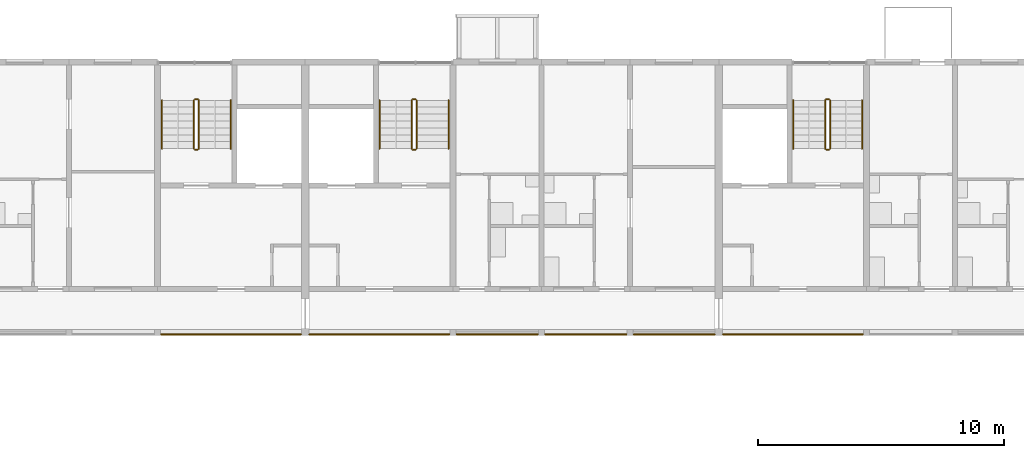
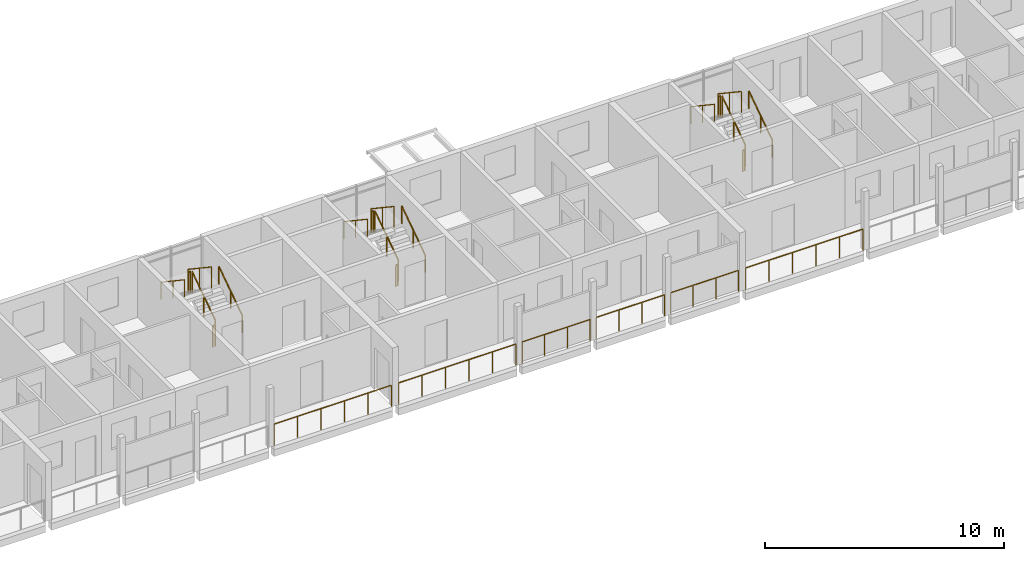
# One storey, part 90 of 98: 24 railings.
"""IFC4 building model written with IfcOpenShell, lengths in metres."""

from ifc_helpers import new_model, si_unit, direction, frame, origin, origin_2d, place, context, subcontext, project, spatial, circle, extrude, material, type_object, element, save


model = new_model("IFC4")

# Units and contexts
model_context = context("Model", 3, precision=1e-05, world=origin(), true_north=direction((0.0, 1.0)))
body_context = subcontext(model_context, "Body", "Model", "MODEL_VIEW")
ifc_project = project(units=[si_unit("LENGTHUNIT", "METRE"), si_unit("AREAUNIT", "SQUARE_METRE"), si_unit("VOLUMEUNIT", "CUBIC_METRE"), si_unit("PLANEANGLEUNIT", "RADIAN"), si_unit("MASSUNIT", "GRAM", prefix="KILO")], contexts=[model_context])

# Site, building, storey
site_placement = place(None, origin())
site = spatial("IfcSite", under=ifc_project, at=site_placement, CompositionType="ELEMENT")
building_placement = place(site_placement, origin())
building = spatial("IfcBuilding", under=site, at=building_placement, Name="Ridgestep Commons", CompositionType="ELEMENT")
storey_placement = place(building_placement, frame((0.0, 0.0, 12.0)))
storey = spatial("IfcBuildingStorey", under=building, at=storey_placement, Name="L04", CompositionType="ELEMENT", Elevation=12.0)

# Railings
ifc_material_1 = material(Name="Structural steel S355JR", Category="steel")
railing_type_1 = type_object("IfcRailingType", Name="Guard 1100", PredefinedType="GUARDRAIL", material=ifc_material_1)
railing_1_placement = place(storey_placement, frame((174.5458984375, 66.050048828125, 0.0)))
element("IfcRailing", 1, at=railing_1_placement, inside=storey, type_object=railing_type_1, Name="Gallery guard C 04.8", PredefinedType="GUARDRAIL", context=body_context, shape_type="SweptSolid", body=[
    extrude(circle(Radius=0.02392578125, at=origin_2d()), frame((0.0, 0.0, 1.076171875), z_axis=(1.0, 0.0, 0.0), x_axis=(0.0, 1.0, 0.0)), (0.0, 0.0, 1.0), 5.68310546875),
    extrude(circle(Radius=0.02099609375, at=origin_2d()), origin(), (0.0, 0.0, 1.0), 1.052001953125),
    extrude(circle(Radius=0.02099609375, at=origin_2d()), frame((1.13671875, 0.0, 0.0)), (0.0, 0.0, 1.0), 1.052001953125),
    extrude(circle(Radius=0.02099609375, at=origin_2d()), frame((2.273193359375, 0.0, 0.0)), (0.0, 0.0, 1.0), 1.052001953125),
    extrude(circle(Radius=0.02099609375, at=origin_2d()), frame((3.409912109375, 0.0, 0.0)), (0.0, 0.0, 1.0), 1.052001953125),
    extrude(circle(Radius=0.02099609375, at=origin_2d()), frame((4.54638671875, 0.0, 0.0)), (0.0, 0.0, 1.0), 1.052001953125),
    extrude(circle(Radius=0.02099609375, at=origin_2d()), frame((5.68310546875, 0.0, 0.0)), (0.0, 0.0, 1.0), 1.052001953125),
])
railing_2_placement = place(storey_placement, frame((180.571044921875, 66.050048828125, 0.0)))
element("IfcRailing", 2, at=railing_2_placement, inside=storey, type_object=railing_type_1, Name="Gallery guard C 04.9", PredefinedType="GUARDRAIL", context=body_context, shape_type="SweptSolid", body=[
    extrude(circle(Radius=0.02392578125, at=origin_2d()), frame((0.0, 0.0, 1.076171875), z_axis=(1.0, 0.0, 0.0), x_axis=(0.0, 1.0, 0.0)), (0.0, 0.0, 1.0), 5.682861328125),
    extrude(circle(Radius=0.02099609375, at=origin_2d()), origin(), (0.0, 0.0, 1.0), 1.052001953125),
    extrude(circle(Radius=0.02099609375, at=origin_2d()), frame((1.136474609375, 0.0, 0.0)), (0.0, 0.0, 1.0), 1.052001953125),
    extrude(circle(Radius=0.02099609375, at=origin_2d()), frame((2.273193359375, 0.0, 0.0)), (0.0, 0.0, 1.0), 1.052001953125),
    extrude(circle(Radius=0.02099609375, at=origin_2d()), frame((3.40966796875, 0.0, 0.0)), (0.0, 0.0, 1.0), 1.052001953125),
    extrude(circle(Radius=0.02099609375, at=origin_2d()), frame((4.54638671875, 0.0, 0.0)), (0.0, 0.0, 1.0), 1.052001953125),
    extrude(circle(Radius=0.02099609375, at=origin_2d()), frame((5.682861328125, 0.0, 0.0)), (0.0, 0.0, 1.0), 1.052001953125),
])
for number, where, name in (
    (3, (186.5458984375, 66.050048828125, 0.0), "Gallery guard C 04.10"),
    (4, (190.14599609375, 66.050048828125, 0.0), "Gallery guard C 04.11"),
):
    element("IfcRailing", number, at=place(storey_placement, frame(where)), inside=storey, type_object=railing_type_1, Name=name, PredefinedType="GUARDRAIL", context=body_context, shape_type="SweptSolid", body=[
        extrude(circle(Radius=0.02392578125, at=origin_2d()), frame((0.0, 0.0, 1.076171875), z_axis=(1.0, 0.0, 0.0), x_axis=(0.0, 1.0, 0.0)), (0.0, 0.0, 1.0), 3.30810546875),
        extrude(circle(Radius=0.02099609375, at=origin_2d()), origin(), (0.0, 0.0, 1.0), 1.052001953125),
        extrude(circle(Radius=0.02099609375, at=origin_2d()), frame((1.102783203125, 0.0, 0.0)), (0.0, 0.0, 1.0), 1.052001953125),
        extrude(circle(Radius=0.02099609375, at=origin_2d()), frame((2.205322265625, 0.0, 0.0)), (0.0, 0.0, 1.0), 1.052001953125),
        extrude(circle(Radius=0.02099609375, at=origin_2d()), frame((3.30810546875, 0.0, 0.0)), (0.0, 0.0, 1.0), 1.052001953125),
    ])
railing_3_placement = place(storey_placement, frame((193.74609375, 66.050048828125, 0.0)))
element("IfcRailing", 5, at=railing_3_placement, inside=storey, type_object=railing_type_1, Name="Gallery guard C 04.12", PredefinedType="GUARDRAIL", context=body_context, shape_type="SweptSolid", body=[
    extrude(circle(Radius=0.02392578125, at=origin_2d()), frame((0.0, 0.0, 1.076171875), z_axis=(1.0, 0.0, 0.0), x_axis=(0.0, 1.0, 0.0)), (0.0, 0.0, 1.0), 3.282958984375),
    extrude(circle(Radius=0.02099609375, at=origin_2d()), origin(), (0.0, 0.0, 1.0), 1.052001953125),
    extrude(circle(Radius=0.02099609375, at=origin_2d()), frame((1.09423828125, 0.0, 0.0)), (0.0, 0.0, 1.0), 1.052001953125),
    extrude(circle(Radius=0.02099609375, at=origin_2d()), frame((2.188720703125, 0.0, 0.0)), (0.0, 0.0, 1.0), 1.052001953125),
    extrude(circle(Radius=0.02099609375, at=origin_2d()), frame((3.282958984375, 0.0, 0.0)), (0.0, 0.0, 1.0), 1.052001953125),
])
railing_4_placement = place(storey_placement, frame((197.37109375, 66.050048828125, 0.0)))
element("IfcRailing", 6, at=railing_4_placement, inside=storey, type_object=railing_type_1, Name="Gallery guard C 04.13", PredefinedType="GUARDRAIL", context=body_context, shape_type="SweptSolid", body=[
    extrude(circle(Radius=0.02392578125, at=origin_2d()), frame((0.0, 0.0, 1.076171875), z_axis=(1.0, 0.0, 0.0), x_axis=(0.0, 1.0, 0.0)), (0.0, 0.0, 1.0), 5.682861328125),
    extrude(circle(Radius=0.02099609375, at=origin_2d()), origin(), (0.0, 0.0, 1.0), 1.052001953125),
    extrude(circle(Radius=0.02099609375, at=origin_2d()), frame((1.136474609375, 0.0, 0.0)), (0.0, 0.0, 1.0), 1.052001953125),
    extrude(circle(Radius=0.02099609375, at=origin_2d()), frame((2.273193359375, 0.0, 0.0)), (0.0, 0.0, 1.0), 1.052001953125),
    extrude(circle(Radius=0.02099609375, at=origin_2d()), frame((3.40966796875, 0.0, 0.0)), (0.0, 0.0, 1.0), 1.052001953125),
    extrude(circle(Radius=0.02099609375, at=origin_2d()), frame((4.54638671875, 0.0, 0.0)), (0.0, 0.0, 1.0), 1.052001953125),
    extrude(circle(Radius=0.02099609375, at=origin_2d()), frame((5.682861328125, 0.0, 0.0)), (0.0, 0.0, 1.0), 1.052001953125),
])
ifc_material_2 = material(Name="Structural steel S355JR", Category="steel")
railing_type_2 = type_object("IfcRailingType", Name="Stair guard 1100", PredefinedType="GUARDRAIL", material=ifc_material_2)
railing_5_placement = place(storey_placement, frame((176.074951171875, 73.60009765625, 0.1875)))
element("IfcRailing", 7, at=railing_5_placement, inside=storey, type_object=railing_type_2, Name="L04 C2C stair guard 1", PredefinedType="GUARDRAIL", context=body_context, shape_type="SweptSolid", body=[
    extrude(circle(Radius=0.02392578125, at=origin_2d()), frame((0.0, 0.0, 1.076171875), z_axis=(0.0, 0.830902050051, 0.556418712142), x_axis=(-1.0, 0.0, 0.0)), (0.0, 0.0, 1.0), 2.35888671875),
    extrude(circle(Radius=0.02099609375, at=origin_2d()), origin(), (0.0, 0.0, 1.0), 1.052001953125),
    extrude(circle(Radius=0.02099609375, at=origin_2d()), frame((0.0, 0.97998046875, 0.65625)), (0.0, 0.0, 1.0), 1.052001953125),
    extrude(circle(Radius=0.02099609375, at=origin_2d()), frame((0.0, 1.9599609375, 1.3125)), (0.0, 0.0, 1.0), 1.052001953125),
])
railing_6_placement = place(storey_placement, frame((176.02490234375, 75.610107421875, 1.5)))
element("IfcRailing", 8, at=railing_6_placement, inside=storey, type_object=railing_type_2, Name="L04 C2C stair guard 2", PredefinedType="GUARDRAIL", context=body_context, shape_type="SweptSolid", body=[
    extrude(circle(Radius=0.02392578125, at=origin_2d()), frame((0.0, 0.0, 1.076171875), z_axis=(-1.0, 0.0, 0.0), x_axis=(0.0, -1.0, 0.0)), (0.0, 0.0, 1.0), 0.099853515625),
    extrude(circle(Radius=0.02099609375, at=origin_2d()), origin(), (0.0, 0.0, 1.0), 1.052001953125),
    extrude(circle(Radius=0.02099609375, at=origin_2d()), frame((-0.099853515625, 0.0, 0.0)), (0.0, 0.0, 1.0), 1.052001953125),
])
railing_7_placement = place(storey_placement, frame((175.875, 75.56005859375, 1.6875)))
element("IfcRailing", 9, at=railing_7_placement, inside=storey, type_object=railing_type_2, Name="L04 C2C stair guard 3", PredefinedType="GUARDRAIL", context=body_context, shape_type="SweptSolid", body=[
    extrude(circle(Radius=0.02392578125, at=origin_2d()), frame((0.0, 0.0, 1.076171875), z_axis=(0.0, -0.830902050051, 0.556418712142), x_axis=(1.0, 0.0, 0.0)), (0.0, 0.0, 1.0), 2.35888671875),
    extrude(circle(Radius=0.02099609375, at=origin_2d()), origin(), (0.0, 0.0, 1.0), 1.052001953125),
    extrude(circle(Radius=0.02099609375, at=origin_2d()), frame((0.0, -0.97998046875, 0.65625)), (0.0, 0.0, 1.0), 1.052001953125),
    extrude(circle(Radius=0.02099609375, at=origin_2d()), frame((0.0, -1.9599609375, 1.3125)), (0.0, 0.0, 1.0), 1.052001953125),
])
railing_8_placement = place(storey_placement, frame((176.02490234375, 73.550048828125, 0.0)))
element("IfcRailing", 10, at=railing_8_placement, inside=storey, type_object=railing_type_2, Name="L04 C2C stair guard 4", PredefinedType="GUARDRAIL", context=body_context, shape_type="SweptSolid", body=[
    extrude(circle(Radius=0.02392578125, at=origin_2d()), frame((0.0, 0.0, 1.076171875), z_axis=(-1.0, 0.0, 0.0), x_axis=(0.0, -1.0, 0.0)), (0.0, 0.0, 1.0), 0.099853515625),
    extrude(circle(Radius=0.02099609375, at=origin_2d()), origin(), (0.0, 0.0, 1.0), 1.052001953125),
    extrude(circle(Radius=0.02099609375, at=origin_2d()), frame((-0.099853515625, 0.0, 0.0)), (0.0, 0.0, 1.0), 1.052001953125),
])
railing_9_placement = place(storey_placement, frame((184.925048828125, 73.60009765625, 0.1875)))
element("IfcRailing", 11, at=railing_9_placement, inside=storey, type_object=railing_type_2, Name="L04 C3C stair guard 1", PredefinedType="GUARDRAIL", context=body_context, shape_type="SweptSolid", body=[
    extrude(circle(Radius=0.02392578125, at=origin_2d()), frame((0.0, 0.0, 1.076171875), z_axis=(0.0, 0.830902050051, 0.556418712142), x_axis=(-1.0, 0.0, 0.0)), (0.0, 0.0, 1.0), 2.35888671875),
    extrude(circle(Radius=0.02099609375, at=origin_2d()), origin(), (0.0, 0.0, 1.0), 1.052001953125),
    extrude(circle(Radius=0.02099609375, at=origin_2d()), frame((0.0, 0.97998046875, 0.65625)), (0.0, 0.0, 1.0), 1.052001953125),
    extrude(circle(Radius=0.02099609375, at=origin_2d()), frame((0.0, 1.9599609375, 1.3125)), (0.0, 0.0, 1.0), 1.052001953125),
])
railing_10_placement = place(storey_placement, frame((184.875, 75.610107421875, 1.5)))
element("IfcRailing", 12, at=railing_10_placement, inside=storey, type_object=railing_type_2, Name="L04 C3C stair guard 2", PredefinedType="GUARDRAIL", context=body_context, shape_type="SweptSolid", body=[
    extrude(circle(Radius=0.02392578125, at=origin_2d()), frame((0.0, 0.0, 1.076171875), z_axis=(-1.0, 0.0, 0.0), x_axis=(0.0, -1.0, 0.0)), (0.0, 0.0, 1.0), 0.10009765625),
    extrude(circle(Radius=0.02099609375, at=origin_2d()), origin(), (0.0, 0.0, 1.0), 1.052001953125),
    extrude(circle(Radius=0.02099609375, at=origin_2d()), frame((-0.10009765625, 0.0, 0.0)), (0.0, 0.0, 1.0), 1.052001953125),
])
railing_11_placement = place(storey_placement, frame((184.72509765625, 75.56005859375, 1.6875)))
element("IfcRailing", 13, at=railing_11_placement, inside=storey, type_object=railing_type_2, Name="L04 C3C stair guard 3", PredefinedType="GUARDRAIL", context=body_context, shape_type="SweptSolid", body=[
    extrude(circle(Radius=0.02392578125, at=origin_2d()), frame((0.0, 0.0, 1.076171875), z_axis=(0.0, -0.830902050051, 0.556418712142), x_axis=(1.0, 0.0, 0.0)), (0.0, 0.0, 1.0), 2.35888671875),
    extrude(circle(Radius=0.02099609375, at=origin_2d()), origin(), (0.0, 0.0, 1.0), 1.052001953125),
    extrude(circle(Radius=0.02099609375, at=origin_2d()), frame((0.0, -0.97998046875, 0.65625)), (0.0, 0.0, 1.0), 1.052001953125),
    extrude(circle(Radius=0.02099609375, at=origin_2d()), frame((0.0, -1.9599609375, 1.3125)), (0.0, 0.0, 1.0), 1.052001953125),
])
railing_12_placement = place(storey_placement, frame((184.875, 73.550048828125, 0.0)))
element("IfcRailing", 14, at=railing_12_placement, inside=storey, type_object=railing_type_2, Name="L04 C3C stair guard 4", PredefinedType="GUARDRAIL", context=body_context, shape_type="SweptSolid", body=[
    extrude(circle(Radius=0.02392578125, at=origin_2d()), frame((0.0, 0.0, 1.076171875), z_axis=(-1.0, 0.0, 0.0), x_axis=(0.0, -1.0, 0.0)), (0.0, 0.0, 1.0), 0.10009765625),
    extrude(circle(Radius=0.02099609375, at=origin_2d()), origin(), (0.0, 0.0, 1.0), 1.052001953125),
    extrude(circle(Radius=0.02099609375, at=origin_2d()), frame((-0.10009765625, 0.0, 0.0)), (0.0, 0.0, 1.0), 1.052001953125),
])
railing_13_placement = place(storey_placement, frame((201.72509765625, 73.60009765625, 0.1875)))
element("IfcRailing", 15, at=railing_13_placement, inside=storey, type_object=railing_type_2, Name="L04 C4C stair guard 1", PredefinedType="GUARDRAIL", context=body_context, shape_type="SweptSolid", body=[
    extrude(circle(Radius=0.02392578125, at=origin_2d()), frame((0.0, 0.0, 1.076171875), z_axis=(0.0, 0.830902050051, 0.556418712142), x_axis=(-1.0, 0.0, 0.0)), (0.0, 0.0, 1.0), 2.35888671875),
    extrude(circle(Radius=0.02099609375, at=origin_2d()), origin(), (0.0, 0.0, 1.0), 1.052001953125),
    extrude(circle(Radius=0.02099609375, at=origin_2d()), frame((0.0, 0.97998046875, 0.65625)), (0.0, 0.0, 1.0), 1.052001953125),
    extrude(circle(Radius=0.02099609375, at=origin_2d()), frame((0.0, 1.9599609375, 1.3125)), (0.0, 0.0, 1.0), 1.052001953125),
])
railing_14_placement = place(storey_placement, frame((201.675048828125, 75.610107421875, 1.5)))
element("IfcRailing", 16, at=railing_14_placement, inside=storey, type_object=railing_type_2, Name="L04 C4C stair guard 2", PredefinedType="GUARDRAIL", context=body_context, shape_type="SweptSolid", body=[
    extrude(circle(Radius=0.02392578125, at=origin_2d()), frame((0.0, 0.0, 1.076171875), z_axis=(-1.0, 0.0, 0.0), x_axis=(0.0, -1.0, 0.0)), (0.0, 0.0, 1.0), 0.10009765625),
    extrude(circle(Radius=0.02099609375, at=origin_2d()), origin(), (0.0, 0.0, 1.0), 1.052001953125),
    extrude(circle(Radius=0.02099609375, at=origin_2d()), frame((-0.10009765625, 0.0, 0.0)), (0.0, 0.0, 1.0), 1.052001953125),
])
railing_15_placement = place(storey_placement, frame((201.52490234375, 75.56005859375, 1.6875)))
element("IfcRailing", 17, at=railing_15_placement, inside=storey, type_object=railing_type_2, Name="L04 C4C stair guard 3", PredefinedType="GUARDRAIL", context=body_context, shape_type="SweptSolid", body=[
    extrude(circle(Radius=0.02392578125, at=origin_2d()), frame((0.0, 0.0, 1.076171875), z_axis=(0.0, -0.830902050051, 0.556418712142), x_axis=(1.0, 0.0, 0.0)), (0.0, 0.0, 1.0), 2.35888671875),
    extrude(circle(Radius=0.02099609375, at=origin_2d()), origin(), (0.0, 0.0, 1.0), 1.052001953125),
    extrude(circle(Radius=0.02099609375, at=origin_2d()), frame((0.0, -0.97998046875, 0.65625)), (0.0, 0.0, 1.0), 1.052001953125),
    extrude(circle(Radius=0.02099609375, at=origin_2d()), frame((0.0, -1.9599609375, 1.3125)), (0.0, 0.0, 1.0), 1.052001953125),
])
railing_16_placement = place(storey_placement, frame((201.675048828125, 73.550048828125, 0.0)))
element("IfcRailing", 18, at=railing_16_placement, inside=storey, type_object=railing_type_2, Name="L04 C4C stair guard 4", PredefinedType="GUARDRAIL", context=body_context, shape_type="SweptSolid", body=[
    extrude(circle(Radius=0.02392578125, at=origin_2d()), frame((0.0, 0.0, 1.076171875), z_axis=(-1.0, 0.0, 0.0), x_axis=(0.0, -1.0, 0.0)), (0.0, 0.0, 1.0), 0.10009765625),
    extrude(circle(Radius=0.02099609375, at=origin_2d()), origin(), (0.0, 0.0, 1.0), 1.052001953125),
    extrude(circle(Radius=0.02099609375, at=origin_2d()), frame((-0.10009765625, 0.0, 0.0)), (0.0, 0.0, 1.0), 1.052001953125),
])
ifc_material_3 = material(Name="Structural steel S355JR", Category="steel")
railing_type_3 = type_object("IfcRailingType", Name="Stair handrail 900", PredefinedType="HANDRAIL", material=ifc_material_3)
railing_17_placement = place(storey_placement, frame((177.375, 73.60009765625, 0.1875)))
element("IfcRailing", 19, at=railing_17_placement, inside=storey, type_object=railing_type_3, Name="L04 C2C stair handrail 1", PredefinedType="HANDRAIL", context=body_context, shape_type="SweptSolid", body=[
    extrude(circle(Radius=0.02392578125, at=origin_2d()), frame((0.0, 0.0, 0.8759765625), z_axis=(0.0, 0.830902050051, 0.556418712142), x_axis=(-1.0, 0.0, 0.0)), (0.0, 0.0, 1.0), 2.35888671875),
    extrude(circle(Radius=0.02099609375, at=origin_2d()), origin(), (0.0, 0.0, 1.0), 0.851806640625),
    extrude(circle(Radius=0.02099609375, at=origin_2d()), frame((0.0, 0.97998046875, 0.65625)), (0.0, 0.0, 1.0), 0.851806640625),
    extrude(circle(Radius=0.02099609375, at=origin_2d()), frame((0.0, 1.9599609375, 1.3125)), (0.0, 0.0, 1.0), 0.851806640625),
])
railing_18_placement = place(storey_placement, frame((174.574951171875, 75.56005859375, 1.6875)))
element("IfcRailing", 20, at=railing_18_placement, inside=storey, type_object=railing_type_3, Name="L04 C2C stair handrail 2", PredefinedType="HANDRAIL", context=body_context, shape_type="SweptSolid", body=[
    extrude(circle(Radius=0.02392578125, at=origin_2d()), frame((0.0, 0.0, 0.8759765625), z_axis=(0.0, -0.830902050051, 0.556418712142), x_axis=(1.0, 0.0, 0.0)), (0.0, 0.0, 1.0), 2.35888671875),
    extrude(circle(Radius=0.02099609375, at=origin_2d()), origin(), (0.0, 0.0, 1.0), 0.851806640625),
    extrude(circle(Radius=0.02099609375, at=origin_2d()), frame((0.0, -0.97998046875, 0.65625)), (0.0, 0.0, 1.0), 0.851806640625),
    extrude(circle(Radius=0.02099609375, at=origin_2d()), frame((0.0, -1.9599609375, 1.3125)), (0.0, 0.0, 1.0), 0.851806640625),
])
railing_19_placement = place(storey_placement, frame((186.22509765625, 73.60009765625, 0.1875)))
element("IfcRailing", 21, at=railing_19_placement, inside=storey, type_object=railing_type_3, Name="L04 C3C stair handrail 1", PredefinedType="HANDRAIL", context=body_context, shape_type="SweptSolid", body=[
    extrude(circle(Radius=0.02392578125, at=origin_2d()), frame((0.0, 0.0, 0.8759765625), z_axis=(0.0, 0.830902050051, 0.556418712142), x_axis=(-1.0, 0.0, 0.0)), (0.0, 0.0, 1.0), 2.35888671875),
    extrude(circle(Radius=0.02099609375, at=origin_2d()), origin(), (0.0, 0.0, 1.0), 0.851806640625),
    extrude(circle(Radius=0.02099609375, at=origin_2d()), frame((0.0, 0.97998046875, 0.65625)), (0.0, 0.0, 1.0), 0.851806640625),
    extrude(circle(Radius=0.02099609375, at=origin_2d()), frame((0.0, 1.9599609375, 1.3125)), (0.0, 0.0, 1.0), 0.851806640625),
])
railing_20_placement = place(storey_placement, frame((183.425048828125, 75.56005859375, 1.6875)))
element("IfcRailing", 22, at=railing_20_placement, inside=storey, type_object=railing_type_3, Name="L04 C3C stair handrail 2", PredefinedType="HANDRAIL", context=body_context, shape_type="SweptSolid", body=[
    extrude(circle(Radius=0.02392578125, at=origin_2d()), frame((0.0, 0.0, 0.8759765625), z_axis=(0.0, -0.830902050051, 0.556418712142), x_axis=(1.0, 0.0, 0.0)), (0.0, 0.0, 1.0), 2.35888671875),
    extrude(circle(Radius=0.02099609375, at=origin_2d()), origin(), (0.0, 0.0, 1.0), 0.851806640625),
    extrude(circle(Radius=0.02099609375, at=origin_2d()), frame((0.0, -0.97998046875, 0.65625)), (0.0, 0.0, 1.0), 0.851806640625),
    extrude(circle(Radius=0.02099609375, at=origin_2d()), frame((0.0, -1.9599609375, 1.3125)), (0.0, 0.0, 1.0), 0.851806640625),
])
railing_21_placement = place(storey_placement, frame((203.02490234375, 73.60009765625, 0.1875)))
element("IfcRailing", 23, at=railing_21_placement, inside=storey, type_object=railing_type_3, Name="L04 C4C stair handrail 1", PredefinedType="HANDRAIL", context=body_context, shape_type="SweptSolid", body=[
    extrude(circle(Radius=0.02392578125, at=origin_2d()), frame((0.0, 0.0, 0.8759765625), z_axis=(0.0, 0.830902050051, 0.556418712142), x_axis=(-1.0, 0.0, 0.0)), (0.0, 0.0, 1.0), 2.35888671875),
    extrude(circle(Radius=0.02099609375, at=origin_2d()), origin(), (0.0, 0.0, 1.0), 0.851806640625),
    extrude(circle(Radius=0.02099609375, at=origin_2d()), frame((0.0, 0.97998046875, 0.65625)), (0.0, 0.0, 1.0), 0.851806640625),
    extrude(circle(Radius=0.02099609375, at=origin_2d()), frame((0.0, 1.9599609375, 1.3125)), (0.0, 0.0, 1.0), 0.851806640625),
])
railing_22_placement = place(storey_placement, frame((200.22509765625, 75.56005859375, 1.6875)))
element("IfcRailing", 24, at=railing_22_placement, inside=storey, type_object=railing_type_3, Name="L04 C4C stair handrail 2", PredefinedType="HANDRAIL", context=body_context, shape_type="SweptSolid", body=[
    extrude(circle(Radius=0.02392578125, at=origin_2d()), frame((0.0, 0.0, 0.8759765625), z_axis=(0.0, -0.830902050051, 0.556418712142), x_axis=(1.0, 0.0, 0.0)), (0.0, 0.0, 1.0), 2.35888671875),
    extrude(circle(Radius=0.02099609375, at=origin_2d()), origin(), (0.0, 0.0, 1.0), 0.851806640625),
    extrude(circle(Radius=0.02099609375, at=origin_2d()), frame((0.0, -0.97998046875, 0.65625)), (0.0, 0.0, 1.0), 0.851806640625),
    extrude(circle(Radius=0.02099609375, at=origin_2d()), frame((0.0, -1.9599609375, 1.3125)), (0.0, 0.0, 1.0), 0.851806640625),
])

save(model, "model.ifc")
